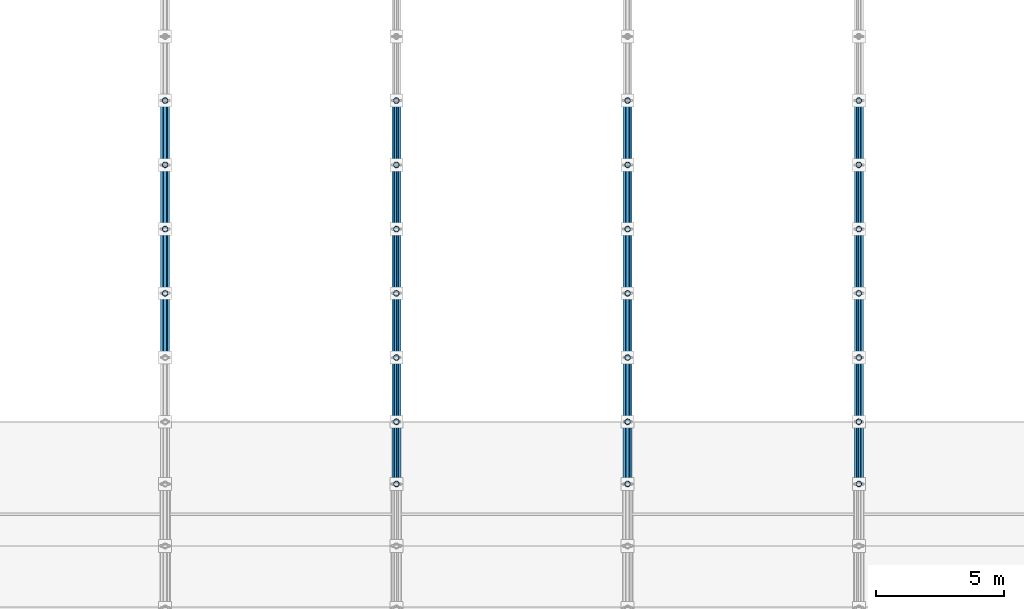
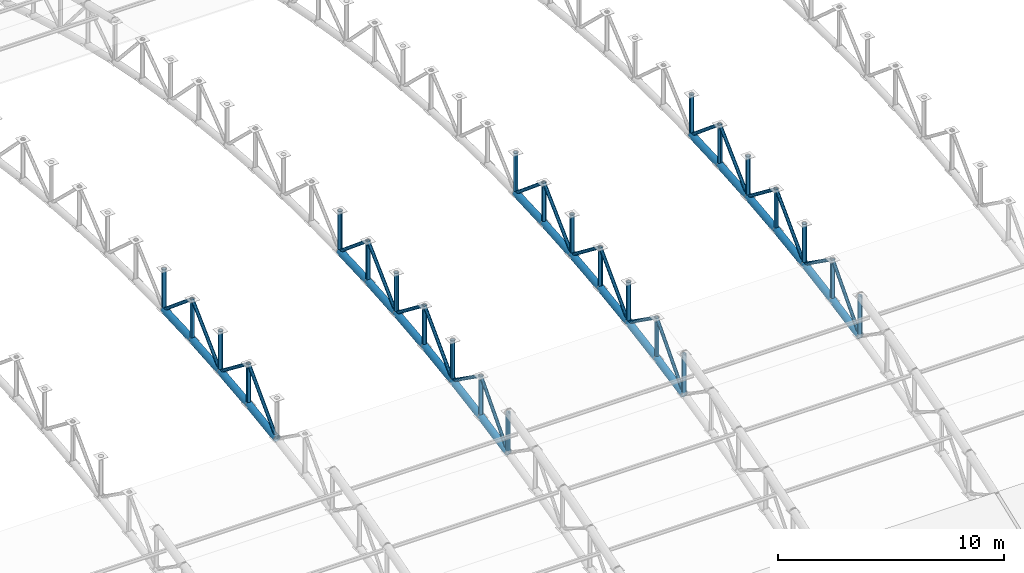
# One storey, part 20 of 195: 69 members.
"""IFC4 building model written with IfcOpenShell, lengths in metres."""

from ifc_helpers import new_model, si_unit, direction, frame, origin, origin_2d, place, context, subcontext, project, spatial, hollow_circle, extrude, material, material_profile, profile_set, type_object, element, save


model = new_model("IFC4")

# Units and contexts
model_context = context("Model", 3, precision=1e-05, world=origin(), true_north=direction((0.0, 1.0)))
body_context = subcontext(model_context, "Body", "Model", "MODEL_VIEW")
ifc_project = project(units=[si_unit("LENGTHUNIT", "METRE"), si_unit("AREAUNIT", "SQUARE_METRE"), si_unit("VOLUMEUNIT", "CUBIC_METRE"), si_unit("PLANEANGLEUNIT", "RADIAN"), si_unit("MASSUNIT", "GRAM", prefix="KILO")], contexts=[model_context])

# Site, building, storey
site_placement = place(None, origin())
site = spatial("IfcSite", under=ifc_project, at=site_placement, CompositionType="ELEMENT")
building_placement = place(site_placement, origin())
building = spatial("IfcBuilding", under=site, at=building_placement, Name="Marlcrest Central Station", CompositionType="ELEMENT")
storey_placement = place(building_placement, frame((0.0, 0.0, 9.800048828125)))
storey = spatial("IfcBuildingStorey", under=building, at=storey_placement, Name="L02", CompositionType="ELEMENT", Elevation=9.800048828125)

# Members
ifc_material = material(Name="Steel S355", Category="steel")
ifc_material_profile_1 = material_profile(ifc_material, hollow_circle(Radius=0.177734375, WallThickness=0.01611328125, at=origin_2d()), Name="CHS 355.6x16")
ifc_profile_set_1 = profile_set([ifc_material_profile_1], Name="Steel S355")
member_type_1 = type_object("IfcMemberType", Name="AC-02", PredefinedType="CHORD", material=ifc_profile_set_1)
member_1_placement = place(storey_placement, frame((36.0, 53.5, 3.83056640625), z_axis=(0.0, 0.990402740232, 0.138211476152), x_axis=(-1.0, 0.0, 0.0)))
element("IfcMember", 1, at=member_1_placement, inside=storey, type_object=member_type_1, Name="mem-AC-02-L02-00556", PredefinedType="CHORD", context=body_context, shape_type="SweptSolid", body=[
    extrude(hollow_circle(Radius=0.177734375, WallThickness=0.01611328125, at=origin_2d()), origin(), (0.0, 0.0, 1.0), 2.524169921875),
])
member_2_placement = place(storey_placement, frame((36.0, 56.0, 4.179443359375), z_axis=(0.0, 0.994155341034, 0.107959056565), x_axis=(-1.0, 0.0, 0.0)))
element("IfcMember", 2, at=member_2_placement, inside=storey, type_object=member_type_1, Name="mem-AC-02-L02-00560", PredefinedType="CHORD", context=body_context, shape_type="SweptSolid", body=[
    extrude(hollow_circle(Radius=0.177734375, WallThickness=0.01611328125, at=origin_2d()), origin(), (0.0, 0.0, 1.0), 2.5146484375),
])
member_3_placement = place(storey_placement, frame((36.0, 58.5, 4.450927734375), z_axis=(0.0, 0.997007334767, 0.077307014043), x_axis=(-1.0, 0.0, 0.0)))
element("IfcMember", 3, at=member_3_placement, inside=storey, type_object=member_type_1, Name="mem-AC-02-L02-00564", PredefinedType="CHORD", context=body_context, shape_type="SweptSolid", body=[
    extrude(hollow_circle(Radius=0.177734375, WallThickness=0.01611328125, at=origin_2d()), origin(), (0.0, 0.0, 1.0), 2.507568359375),
])
member_4_placement = place(storey_placement, frame((36.0, 61.0, 4.644775390625), z_axis=(0.0, 0.998916819647, 0.046531574509), x_axis=(-1.0, 0.0, 0.0)))
element("IfcMember", 4, at=member_4_placement, inside=storey, type_object=member_type_1, Name="mem-AC-02-L02-00568", PredefinedType="CHORD", context=body_context, shape_type="SweptSolid", body=[
    extrude(hollow_circle(Radius=0.177734375, WallThickness=0.01611328125, at=origin_2d()), origin(), (0.0, 0.0, 1.0), 2.502685546875),
])
member_5_placement = place(storey_placement, frame((45.0, 48.580078125, 2.9169921875), z_axis=(0.0, 0.980359417961, 0.197219196874), x_axis=(-1.0, 0.0, 0.0)))
element("IfcMember", 5, at=member_5_placement, inside=storey, type_object=member_type_1, Name="mem-AC-02-L02-00664", PredefinedType="CHORD", context=body_context, shape_type="SweptSolid", body=[
    extrude(hollow_circle(Radius=0.177734375, WallThickness=0.01611328125, at=origin_2d()), origin(), (0.0, 0.0, 1.0), 2.468505859375),
])
member_6_placement = place(storey_placement, frame((45.0, 51.0, 3.40380859375), z_axis=(0.0, 0.98574109921, 0.168269086076), x_axis=(-1.0, 0.0, 0.0)))
element("IfcMember", 6, at=member_6_placement, inside=storey, type_object=member_type_1, Name="mem-AC-02-L02-00668", PredefinedType="CHORD", context=body_context, shape_type="SweptSolid", body=[
    extrude(hollow_circle(Radius=0.177734375, WallThickness=0.01611328125, at=origin_2d()), origin(), (0.0, 0.0, 1.0), 2.5361328125),
])
member_7_placement = place(storey_placement, frame((45.0, 53.5, 3.83056640625), z_axis=(0.0, 0.990402740232, 0.138211476152), x_axis=(-1.0, 0.0, 0.0)))
element("IfcMember", 7, at=member_7_placement, inside=storey, type_object=member_type_1, Name="mem-AC-02-L02-00672", PredefinedType="CHORD", context=body_context, shape_type="SweptSolid", body=[
    extrude(hollow_circle(Radius=0.177734375, WallThickness=0.01611328125, at=origin_2d()), origin(), (0.0, 0.0, 1.0), 2.524169921875),
])
member_8_placement = place(storey_placement, frame((45.0, 56.0, 4.179443359375), z_axis=(0.0, 0.994155341034, 0.107959056565), x_axis=(-1.0, 0.0, 0.0)))
element("IfcMember", 8, at=member_8_placement, inside=storey, type_object=member_type_1, Name="mem-AC-02-L02-00676", PredefinedType="CHORD", context=body_context, shape_type="SweptSolid", body=[
    extrude(hollow_circle(Radius=0.177734375, WallThickness=0.01611328125, at=origin_2d()), origin(), (0.0, 0.0, 1.0), 2.5146484375),
])
member_9_placement = place(storey_placement, frame((45.0, 58.5, 4.450927734375), z_axis=(0.0, 0.997007334767, 0.077307014043), x_axis=(-1.0, 0.0, 0.0)))
element("IfcMember", 9, at=member_9_placement, inside=storey, type_object=member_type_1, Name="mem-AC-02-L02-00680", PredefinedType="CHORD", context=body_context, shape_type="SweptSolid", body=[
    extrude(hollow_circle(Radius=0.177734375, WallThickness=0.01611328125, at=origin_2d()), origin(), (0.0, 0.0, 1.0), 2.507568359375),
])
member_10_placement = place(storey_placement, frame((45.0, 61.0, 4.644775390625), z_axis=(0.0, 0.998916819647, 0.046531574509), x_axis=(-1.0, 0.0, 0.0)))
element("IfcMember", 10, at=member_10_placement, inside=storey, type_object=member_type_1, Name="mem-AC-02-L02-00684", PredefinedType="CHORD", context=body_context, shape_type="SweptSolid", body=[
    extrude(hollow_circle(Radius=0.177734375, WallThickness=0.01611328125, at=origin_2d()), origin(), (0.0, 0.0, 1.0), 2.502685546875),
])
member_11_placement = place(storey_placement, frame((54.0, 48.580078125, 2.9169921875), z_axis=(0.0, 0.980359417961, 0.197219196874), x_axis=(-1.0, 0.0, 0.0)))
element("IfcMember", 11, at=member_11_placement, inside=storey, type_object=member_type_1, Name="mem-AC-02-L02-00780", PredefinedType="CHORD", context=body_context, shape_type="SweptSolid", body=[
    extrude(hollow_circle(Radius=0.177734375, WallThickness=0.01611328125, at=origin_2d()), origin(), (0.0, 0.0, 1.0), 2.468505859375),
])
member_12_placement = place(storey_placement, frame((54.0, 51.0, 3.40380859375), z_axis=(0.0, 0.98574109921, 0.168269086076), x_axis=(-1.0, 0.0, 0.0)))
element("IfcMember", 12, at=member_12_placement, inside=storey, type_object=member_type_1, Name="mem-AC-02-L02-00784", PredefinedType="CHORD", context=body_context, shape_type="SweptSolid", body=[
    extrude(hollow_circle(Radius=0.177734375, WallThickness=0.01611328125, at=origin_2d()), origin(), (0.0, 0.0, 1.0), 2.5361328125),
])
member_13_placement = place(storey_placement, frame((54.0, 53.5, 3.83056640625), z_axis=(0.0, 0.990402740232, 0.138211476152), x_axis=(-1.0, 0.0, 0.0)))
element("IfcMember", 13, at=member_13_placement, inside=storey, type_object=member_type_1, Name="mem-AC-02-L02-00788", PredefinedType="CHORD", context=body_context, shape_type="SweptSolid", body=[
    extrude(hollow_circle(Radius=0.177734375, WallThickness=0.01611328125, at=origin_2d()), origin(), (0.0, 0.0, 1.0), 2.524169921875),
])
member_14_placement = place(storey_placement, frame((54.0, 56.0, 4.179443359375), z_axis=(0.0, 0.994155341034, 0.107959056565), x_axis=(-1.0, 0.0, 0.0)))
element("IfcMember", 14, at=member_14_placement, inside=storey, type_object=member_type_1, Name="mem-AC-02-L02-00792", PredefinedType="CHORD", context=body_context, shape_type="SweptSolid", body=[
    extrude(hollow_circle(Radius=0.177734375, WallThickness=0.01611328125, at=origin_2d()), origin(), (0.0, 0.0, 1.0), 2.5146484375),
])
member_15_placement = place(storey_placement, frame((54.0, 58.5, 4.450927734375), z_axis=(0.0, 0.997007334767, 0.077307014043), x_axis=(-1.0, 0.0, 0.0)))
element("IfcMember", 15, at=member_15_placement, inside=storey, type_object=member_type_1, Name="mem-AC-02-L02-00796", PredefinedType="CHORD", context=body_context, shape_type="SweptSolid", body=[
    extrude(hollow_circle(Radius=0.177734375, WallThickness=0.01611328125, at=origin_2d()), origin(), (0.0, 0.0, 1.0), 2.507568359375),
])
member_16_placement = place(storey_placement, frame((54.0, 61.0, 4.644775390625), z_axis=(0.0, 0.998916819647, 0.046531574509), x_axis=(-1.0, 0.0, 0.0)))
element("IfcMember", 16, at=member_16_placement, inside=storey, type_object=member_type_1, Name="mem-AC-02-L02-00800", PredefinedType="CHORD", context=body_context, shape_type="SweptSolid", body=[
    extrude(hollow_circle(Radius=0.177734375, WallThickness=0.01611328125, at=origin_2d()), origin(), (0.0, 0.0, 1.0), 2.502685546875),
])
member_17_placement = place(storey_placement, frame((63.0, 48.580078125, 2.9169921875), z_axis=(0.0, 0.980359417961, 0.197219196874), x_axis=(-1.0, 0.0, 0.0)))
element("IfcMember", 17, at=member_17_placement, inside=storey, type_object=member_type_1, Name="mem-AC-02-L02-00896", PredefinedType="CHORD", context=body_context, shape_type="SweptSolid", body=[
    extrude(hollow_circle(Radius=0.177734375, WallThickness=0.01611328125, at=origin_2d()), origin(), (0.0, 0.0, 1.0), 2.468505859375),
])
member_18_placement = place(storey_placement, frame((63.0, 51.0, 3.40380859375), z_axis=(0.0, 0.98574109921, 0.168269086076), x_axis=(-1.0, 0.0, 0.0)))
element("IfcMember", 18, at=member_18_placement, inside=storey, type_object=member_type_1, Name="mem-AC-02-L02-00900", PredefinedType="CHORD", context=body_context, shape_type="SweptSolid", body=[
    extrude(hollow_circle(Radius=0.177734375, WallThickness=0.01611328125, at=origin_2d()), origin(), (0.0, 0.0, 1.0), 2.5361328125),
])
member_19_placement = place(storey_placement, frame((63.0, 53.5, 3.83056640625), z_axis=(0.0, 0.990402740232, 0.138211476152), x_axis=(-1.0, 0.0, 0.0)))
element("IfcMember", 19, at=member_19_placement, inside=storey, type_object=member_type_1, Name="mem-AC-02-L02-00904", PredefinedType="CHORD", context=body_context, shape_type="SweptSolid", body=[
    extrude(hollow_circle(Radius=0.177734375, WallThickness=0.01611328125, at=origin_2d()), origin(), (0.0, 0.0, 1.0), 2.524169921875),
])
member_20_placement = place(storey_placement, frame((63.0, 56.0, 4.179443359375), z_axis=(0.0, 0.994155341034, 0.107959056565), x_axis=(-1.0, 0.0, 0.0)))
element("IfcMember", 20, at=member_20_placement, inside=storey, type_object=member_type_1, Name="mem-AC-02-L02-00908", PredefinedType="CHORD", context=body_context, shape_type="SweptSolid", body=[
    extrude(hollow_circle(Radius=0.177734375, WallThickness=0.01611328125, at=origin_2d()), origin(), (0.0, 0.0, 1.0), 2.5146484375),
])
member_21_placement = place(storey_placement, frame((63.0, 58.5, 4.450927734375), z_axis=(0.0, 0.997007334767, 0.077307014043), x_axis=(-1.0, 0.0, 0.0)))
element("IfcMember", 21, at=member_21_placement, inside=storey, type_object=member_type_1, Name="mem-AC-02-L02-00912", PredefinedType="CHORD", context=body_context, shape_type="SweptSolid", body=[
    extrude(hollow_circle(Radius=0.177734375, WallThickness=0.01611328125, at=origin_2d()), origin(), (0.0, 0.0, 1.0), 2.507568359375),
])
member_22_placement = place(storey_placement, frame((63.0, 61.0, 4.644775390625), z_axis=(0.0, 0.998916819647, 0.046531574509), x_axis=(-1.0, 0.0, 0.0)))
element("IfcMember", 22, at=member_22_placement, inside=storey, type_object=member_type_1, Name="mem-AC-02-L02-00916", PredefinedType="CHORD", context=body_context, shape_type="SweptSolid", body=[
    extrude(hollow_circle(Radius=0.177734375, WallThickness=0.01611328125, at=origin_2d()), origin(), (0.0, 0.0, 1.0), 2.502685546875),
])
ifc_material_profile_2 = material_profile(ifc_material, hollow_circle(Radius=0.084228515625, WallThickness=0.010009765625, at=origin_2d()), Name="CHS 168.3x10")
ifc_profile_set_2 = profile_set([ifc_material_profile_2], Name="Steel S355")
member_type_2 = type_object("IfcMemberType", Name="AD-01", PredefinedType="BRACE", material=ifc_profile_set_2)
member_23_placement = place(storey_placement, frame((36.0, 53.5, 3.83056640625), z_axis=(0.0, 0.70023547796, 0.713911952139), x_axis=(-1.0, 0.0, 0.0)))
element("IfcMember", 23, at=member_23_placement, inside=storey, type_object=member_type_2, Name="mem-AD-01-L02-00558", PredefinedType="BRACE", context=body_context, shape_type="SweptSolid", body=[
    extrude(hollow_circle(Radius=0.084228515625, WallThickness=0.010009765625, at=origin_2d()), origin(), (0.0, 0.0, 1.0), 3.5703125),
])
member_24_placement = place(storey_placement, frame((36.0, 56.0, 6.37939453125), z_axis=(0.0, 0.791798282026, -0.610782678684), x_axis=(-1.0, 0.0, 0.0)))
element("IfcMember", 24, at=member_24_placement, inside=storey, type_object=member_type_2, Name="mem-AD-01-L02-00562", PredefinedType="BRACE", context=body_context, shape_type="SweptSolid", body=[
    extrude(hollow_circle(Radius=0.084228515625, WallThickness=0.010009765625, at=origin_2d()), origin(), (0.0, 0.0, 1.0), 3.157470703125),
])
member_25_placement = place(storey_placement, frame((36.0, 58.5, 4.450927734375), z_axis=(0.0, 0.722246537655, 0.691635698071), x_axis=(-1.0, 0.0, 0.0)))
element("IfcMember", 25, at=member_25_placement, inside=storey, type_object=member_type_2, Name="mem-AD-01-L02-00566", PredefinedType="BRACE", context=body_context, shape_type="SweptSolid", body=[
    extrude(hollow_circle(Radius=0.084228515625, WallThickness=0.010009765625, at=origin_2d()), origin(), (0.0, 0.0, 1.0), 3.46142578125),
])
member_26_placement = place(storey_placement, frame((36.0, 61.0, 6.844970703125), z_axis=(0.0, 0.768159787854, -0.640258182552), x_axis=(-1.0, 0.0, 0.0)))
element("IfcMember", 26, at=member_26_placement, inside=storey, type_object=member_type_2, Name="mem-AD-01-L02-00570", PredefinedType="BRACE", context=body_context, shape_type="SweptSolid", body=[
    extrude(hollow_circle(Radius=0.084228515625, WallThickness=0.010009765625, at=origin_2d()), origin(), (0.0, 0.0, 1.0), 3.254638671875),
])
member_27_placement = place(storey_placement, frame((45.0, 48.580078125, 2.9169921875), z_axis=(0.0, 0.669244457479, 0.743042297675), x_axis=(-1.0, 0.0, 0.0)))
element("IfcMember", 27, at=member_27_placement, inside=storey, type_object=member_type_2, Name="mem-AD-01-L02-00666", PredefinedType="BRACE", context=body_context, shape_type="SweptSolid", body=[
    extrude(hollow_circle(Radius=0.084228515625, WallThickness=0.010009765625, at=origin_2d()), origin(), (0.0, 0.0, 1.0), 3.615966796875),
])
member_28_placement = place(storey_placement, frame((45.0, 51.0, 5.603759765625), z_axis=(0.0, 0.815661132754, -0.57852996164), x_axis=(-1.0, 0.0, 0.0)))
element("IfcMember", 28, at=member_28_placement, inside=storey, type_object=member_type_2, Name="mem-AD-01-L02-00670", PredefinedType="BRACE", context=body_context, shape_type="SweptSolid", body=[
    extrude(hollow_circle(Radius=0.084228515625, WallThickness=0.010009765625, at=origin_2d()), origin(), (0.0, 0.0, 1.0), 3.06494140625),
])
member_29_placement = place(storey_placement, frame((45.0, 53.5, 3.83056640625), z_axis=(0.0, 0.70023547796, 0.713911952139), x_axis=(-1.0, 0.0, 0.0)))
element("IfcMember", 29, at=member_29_placement, inside=storey, type_object=member_type_2, Name="mem-AD-01-L02-00674", PredefinedType="BRACE", context=body_context, shape_type="SweptSolid", body=[
    extrude(hollow_circle(Radius=0.084228515625, WallThickness=0.010009765625, at=origin_2d()), origin(), (0.0, 0.0, 1.0), 3.5703125),
])
member_30_placement = place(storey_placement, frame((45.0, 56.0, 6.37939453125), z_axis=(0.0, 0.791798282026, -0.610782678684), x_axis=(-1.0, 0.0, 0.0)))
element("IfcMember", 30, at=member_30_placement, inside=storey, type_object=member_type_2, Name="mem-AD-01-L02-00678", PredefinedType="BRACE", context=body_context, shape_type="SweptSolid", body=[
    extrude(hollow_circle(Radius=0.084228515625, WallThickness=0.010009765625, at=origin_2d()), origin(), (0.0, 0.0, 1.0), 3.157470703125),
])
member_31_placement = place(storey_placement, frame((45.0, 58.5, 4.450927734375), z_axis=(0.0, 0.722246537655, 0.691635698071), x_axis=(-1.0, 0.0, 0.0)))
element("IfcMember", 31, at=member_31_placement, inside=storey, type_object=member_type_2, Name="mem-AD-01-L02-00682", PredefinedType="BRACE", context=body_context, shape_type="SweptSolid", body=[
    extrude(hollow_circle(Radius=0.084228515625, WallThickness=0.010009765625, at=origin_2d()), origin(), (0.0, 0.0, 1.0), 3.46142578125),
])
member_32_placement = place(storey_placement, frame((45.0, 61.0, 6.844970703125), z_axis=(0.0, 0.768159787854, -0.640258182552), x_axis=(-1.0, 0.0, 0.0)))
element("IfcMember", 32, at=member_32_placement, inside=storey, type_object=member_type_2, Name="mem-AD-01-L02-00686", PredefinedType="BRACE", context=body_context, shape_type="SweptSolid", body=[
    extrude(hollow_circle(Radius=0.084228515625, WallThickness=0.010009765625, at=origin_2d()), origin(), (0.0, 0.0, 1.0), 3.254638671875),
])
member_33_placement = place(storey_placement, frame((54.0, 48.580078125, 2.9169921875), z_axis=(0.0, 0.669244457479, 0.743042297675), x_axis=(-1.0, 0.0, 0.0)))
element("IfcMember", 33, at=member_33_placement, inside=storey, type_object=member_type_2, Name="mem-AD-01-L02-00782", PredefinedType="BRACE", context=body_context, shape_type="SweptSolid", body=[
    extrude(hollow_circle(Radius=0.084228515625, WallThickness=0.010009765625, at=origin_2d()), origin(), (0.0, 0.0, 1.0), 3.615966796875),
])
member_34_placement = place(storey_placement, frame((54.0, 51.0, 5.603759765625), z_axis=(0.0, 0.815661132754, -0.57852996164), x_axis=(-1.0, 0.0, 0.0)))
element("IfcMember", 34, at=member_34_placement, inside=storey, type_object=member_type_2, Name="mem-AD-01-L02-00786", PredefinedType="BRACE", context=body_context, shape_type="SweptSolid", body=[
    extrude(hollow_circle(Radius=0.084228515625, WallThickness=0.010009765625, at=origin_2d()), origin(), (0.0, 0.0, 1.0), 3.06494140625),
])
member_35_placement = place(storey_placement, frame((54.0, 53.5, 3.83056640625), z_axis=(0.0, 0.70023547796, 0.713911952139), x_axis=(-1.0, 0.0, 0.0)))
element("IfcMember", 35, at=member_35_placement, inside=storey, type_object=member_type_2, Name="mem-AD-01-L02-00790", PredefinedType="BRACE", context=body_context, shape_type="SweptSolid", body=[
    extrude(hollow_circle(Radius=0.084228515625, WallThickness=0.010009765625, at=origin_2d()), origin(), (0.0, 0.0, 1.0), 3.5703125),
])
member_36_placement = place(storey_placement, frame((54.0, 56.0, 6.37939453125), z_axis=(0.0, 0.791798282026, -0.610782678684), x_axis=(-1.0, 0.0, 0.0)))
element("IfcMember", 36, at=member_36_placement, inside=storey, type_object=member_type_2, Name="mem-AD-01-L02-00794", PredefinedType="BRACE", context=body_context, shape_type="SweptSolid", body=[
    extrude(hollow_circle(Radius=0.084228515625, WallThickness=0.010009765625, at=origin_2d()), origin(), (0.0, 0.0, 1.0), 3.157470703125),
])
member_37_placement = place(storey_placement, frame((54.0, 58.5, 4.450927734375), z_axis=(0.0, 0.722246537655, 0.691635698071), x_axis=(-1.0, 0.0, 0.0)))
element("IfcMember", 37, at=member_37_placement, inside=storey, type_object=member_type_2, Name="mem-AD-01-L02-00798", PredefinedType="BRACE", context=body_context, shape_type="SweptSolid", body=[
    extrude(hollow_circle(Radius=0.084228515625, WallThickness=0.010009765625, at=origin_2d()), origin(), (0.0, 0.0, 1.0), 3.46142578125),
])
member_38_placement = place(storey_placement, frame((54.0, 61.0, 6.844970703125), z_axis=(0.0, 0.768159787854, -0.640258182552), x_axis=(-1.0, 0.0, 0.0)))
element("IfcMember", 38, at=member_38_placement, inside=storey, type_object=member_type_2, Name="mem-AD-01-L02-00802", PredefinedType="BRACE", context=body_context, shape_type="SweptSolid", body=[
    extrude(hollow_circle(Radius=0.084228515625, WallThickness=0.010009765625, at=origin_2d()), origin(), (0.0, 0.0, 1.0), 3.254638671875),
])
member_39_placement = place(storey_placement, frame((63.0, 48.580078125, 2.9169921875), z_axis=(0.0, 0.669244457479, 0.743042297675), x_axis=(-1.0, 0.0, 0.0)))
element("IfcMember", 39, at=member_39_placement, inside=storey, type_object=member_type_2, Name="mem-AD-01-L02-00898", PredefinedType="BRACE", context=body_context, shape_type="SweptSolid", body=[
    extrude(hollow_circle(Radius=0.084228515625, WallThickness=0.010009765625, at=origin_2d()), origin(), (0.0, 0.0, 1.0), 3.615966796875),
])
member_40_placement = place(storey_placement, frame((63.0, 51.0, 5.603759765625), z_axis=(0.0, 0.815661132754, -0.57852996164), x_axis=(-1.0, 0.0, 0.0)))
element("IfcMember", 40, at=member_40_placement, inside=storey, type_object=member_type_2, Name="mem-AD-01-L02-00902", PredefinedType="BRACE", context=body_context, shape_type="SweptSolid", body=[
    extrude(hollow_circle(Radius=0.084228515625, WallThickness=0.010009765625, at=origin_2d()), origin(), (0.0, 0.0, 1.0), 3.06494140625),
])
member_41_placement = place(storey_placement, frame((63.0, 53.5, 3.83056640625), z_axis=(0.0, 0.70023547796, 0.713911952139), x_axis=(-1.0, 0.0, 0.0)))
element("IfcMember", 41, at=member_41_placement, inside=storey, type_object=member_type_2, Name="mem-AD-01-L02-00906", PredefinedType="BRACE", context=body_context, shape_type="SweptSolid", body=[
    extrude(hollow_circle(Radius=0.084228515625, WallThickness=0.010009765625, at=origin_2d()), origin(), (0.0, 0.0, 1.0), 3.5703125),
])
member_42_placement = place(storey_placement, frame((63.0, 56.0, 6.37939453125), z_axis=(0.0, 0.791798282026, -0.610782678684), x_axis=(-1.0, 0.0, 0.0)))
element("IfcMember", 42, at=member_42_placement, inside=storey, type_object=member_type_2, Name="mem-AD-01-L02-00910", PredefinedType="BRACE", context=body_context, shape_type="SweptSolid", body=[
    extrude(hollow_circle(Radius=0.084228515625, WallThickness=0.010009765625, at=origin_2d()), origin(), (0.0, 0.0, 1.0), 3.157470703125),
])
member_43_placement = place(storey_placement, frame((63.0, 58.5, 4.450927734375), z_axis=(0.0, 0.722246537655, 0.691635698071), x_axis=(-1.0, 0.0, 0.0)))
element("IfcMember", 43, at=member_43_placement, inside=storey, type_object=member_type_2, Name="mem-AD-01-L02-00914", PredefinedType="BRACE", context=body_context, shape_type="SweptSolid", body=[
    extrude(hollow_circle(Radius=0.084228515625, WallThickness=0.010009765625, at=origin_2d()), origin(), (0.0, 0.0, 1.0), 3.46142578125),
])
member_44_placement = place(storey_placement, frame((63.0, 61.0, 6.844970703125), z_axis=(0.0, 0.768159787854, -0.640258182552), x_axis=(-1.0, 0.0, 0.0)))
element("IfcMember", 44, at=member_44_placement, inside=storey, type_object=member_type_2, Name="mem-AD-01-L02-00918", PredefinedType="BRACE", context=body_context, shape_type="SweptSolid", body=[
    extrude(hollow_circle(Radius=0.084228515625, WallThickness=0.010009765625, at=origin_2d()), origin(), (0.0, 0.0, 1.0), 3.254638671875),
])
ifc_material_profile_3 = material_profile(ifc_material, hollow_circle(Radius=0.109619140625, WallThickness=0.012451171875, at=origin_2d()), Name="CHS 219.1x12.5")
ifc_profile_set_3 = profile_set([ifc_material_profile_3], Name="Steel S355")
member_type_3 = type_object("IfcMemberType", Name="AP-01", PredefinedType="POST", material=ifc_profile_set_3)
for number, where, z_axis, x_axis, name in (
    (45, (36.0, 56.0, 4.179443359375), (0.0, 0.0, 1.0), (1.0, 0.0, 0.0), "mem-AP-01-L02-00561"),
    (46, (36.0, 58.5, 4.450927734375), (0.0, 0.0, 1.0), (1.0, 0.0, 0.0), "mem-AP-01-L02-00565"),
):
    element("IfcMember", number, at=place(storey_placement, frame(where, z_axis=z_axis, x_axis=x_axis)), inside=storey, type_object=member_type_3, Name=name, PredefinedType="POST", context=body_context, shape_type="SweptSolid", body=[
        extrude(hollow_circle(Radius=0.109619140625, WallThickness=0.012451171875, at=origin_2d()), origin(), (0.0, 0.0, 1.0), 2.199951171875),
    ])
member_45_placement = place(storey_placement, frame((36.0, 61.0, 4.644775390625), z_axis=(0.0, 0.0, 1.0), x_axis=(1.0, 0.0, 0.0)))
element("IfcMember", 47, at=member_45_placement, inside=storey, type_object=member_type_3, Name="mem-AP-01-L02-00569", PredefinedType="POST", context=body_context, shape_type="SweptSolid", body=[
    extrude(hollow_circle(Radius=0.109619140625, WallThickness=0.012451171875, at=origin_2d()), origin(), (0.0, 0.0, 1.0), 2.2001953125),
])
for number, where, z_axis, x_axis, name in (
    (48, (36.0, 63.5, 4.76123046875), (0.0, 0.0, 1.0), (1.0, 0.0, 0.0), "mem-AP-01-L02-00573"),
    (49, (45.0, 48.580078125, 2.9169921875), (0.0, 0.0, 1.0), (1.0, 0.0, 0.0), "mem-AP-01-L02-00665"),
    (50, (45.0, 51.0, 3.40380859375), (0.0, 0.0, 1.0), (1.0, 0.0, 0.0), "mem-AP-01-L02-00669"),
    (51, (45.0, 53.5, 3.83056640625), (0.0, 0.0, 1.0), (1.0, 0.0, 0.0), "mem-AP-01-L02-00673"),
    (52, (45.0, 56.0, 4.179443359375), (0.0, 0.0, 1.0), (1.0, 0.0, 0.0), "mem-AP-01-L02-00677"),
    (53, (45.0, 58.5, 4.450927734375), (0.0, 0.0, 1.0), (1.0, 0.0, 0.0), "mem-AP-01-L02-00681"),
):
    element("IfcMember", number, at=place(storey_placement, frame(where, z_axis=z_axis, x_axis=x_axis)), inside=storey, type_object=member_type_3, Name=name, PredefinedType="POST", context=body_context, shape_type="SweptSolid", body=[
        extrude(hollow_circle(Radius=0.109619140625, WallThickness=0.012451171875, at=origin_2d()), origin(), (0.0, 0.0, 1.0), 2.199951171875),
    ])
member_46_placement = place(storey_placement, frame((45.0, 61.0, 4.644775390625), z_axis=(0.0, 0.0, 1.0), x_axis=(1.0, 0.0, 0.0)))
element("IfcMember", 54, at=member_46_placement, inside=storey, type_object=member_type_3, Name="mem-AP-01-L02-00685", PredefinedType="POST", context=body_context, shape_type="SweptSolid", body=[
    extrude(hollow_circle(Radius=0.109619140625, WallThickness=0.012451171875, at=origin_2d()), origin(), (0.0, 0.0, 1.0), 2.2001953125),
])
for number, where, z_axis, x_axis, name in (
    (55, (45.0, 63.5, 4.76123046875), (0.0, 0.0, 1.0), (1.0, 0.0, 0.0), "mem-AP-01-L02-00689"),
    (56, (54.0, 48.580078125, 2.9169921875), (0.0, 0.0, 1.0), (1.0, 0.0, 0.0), "mem-AP-01-L02-00781"),
    (57, (54.0, 51.0, 3.40380859375), (0.0, 0.0, 1.0), (1.0, 0.0, 0.0), "mem-AP-01-L02-00785"),
    (58, (54.0, 53.5, 3.83056640625), (0.0, 0.0, 1.0), (1.0, 0.0, 0.0), "mem-AP-01-L02-00789"),
    (59, (54.0, 56.0, 4.179443359375), (0.0, 0.0, 1.0), (1.0, 0.0, 0.0), "mem-AP-01-L02-00793"),
    (60, (54.0, 58.5, 4.450927734375), (0.0, 0.0, 1.0), (1.0, 0.0, 0.0), "mem-AP-01-L02-00797"),
):
    element("IfcMember", number, at=place(storey_placement, frame(where, z_axis=z_axis, x_axis=x_axis)), inside=storey, type_object=member_type_3, Name=name, PredefinedType="POST", context=body_context, shape_type="SweptSolid", body=[
        extrude(hollow_circle(Radius=0.109619140625, WallThickness=0.012451171875, at=origin_2d()), origin(), (0.0, 0.0, 1.0), 2.199951171875),
    ])
member_47_placement = place(storey_placement, frame((54.0, 61.0, 4.644775390625), z_axis=(0.0, 0.0, 1.0), x_axis=(1.0, 0.0, 0.0)))
element("IfcMember", 61, at=member_47_placement, inside=storey, type_object=member_type_3, Name="mem-AP-01-L02-00801", PredefinedType="POST", context=body_context, shape_type="SweptSolid", body=[
    extrude(hollow_circle(Radius=0.109619140625, WallThickness=0.012451171875, at=origin_2d()), origin(), (0.0, 0.0, 1.0), 2.2001953125),
])
for number, where, z_axis, x_axis, name in (
    (62, (54.0, 63.5, 4.76123046875), (0.0, 0.0, 1.0), (1.0, 0.0, 0.0), "mem-AP-01-L02-00805"),
    (63, (63.0, 48.580078125, 2.9169921875), (0.0, 0.0, 1.0), (1.0, 0.0, 0.0), "mem-AP-01-L02-00897"),
    (64, (63.0, 51.0, 3.40380859375), (0.0, 0.0, 1.0), (1.0, 0.0, 0.0), "mem-AP-01-L02-00901"),
    (65, (63.0, 53.5, 3.83056640625), (0.0, 0.0, 1.0), (1.0, 0.0, 0.0), "mem-AP-01-L02-00905"),
    (66, (63.0, 56.0, 4.179443359375), (0.0, 0.0, 1.0), (1.0, 0.0, 0.0), "mem-AP-01-L02-00909"),
    (67, (63.0, 58.5, 4.450927734375), (0.0, 0.0, 1.0), (1.0, 0.0, 0.0), "mem-AP-01-L02-00913"),
):
    element("IfcMember", number, at=place(storey_placement, frame(where, z_axis=z_axis, x_axis=x_axis)), inside=storey, type_object=member_type_3, Name=name, PredefinedType="POST", context=body_context, shape_type="SweptSolid", body=[
        extrude(hollow_circle(Radius=0.109619140625, WallThickness=0.012451171875, at=origin_2d()), origin(), (0.0, 0.0, 1.0), 2.199951171875),
    ])
member_48_placement = place(storey_placement, frame((63.0, 61.0, 4.644775390625), z_axis=(0.0, 0.0, 1.0), x_axis=(1.0, 0.0, 0.0)))
element("IfcMember", 68, at=member_48_placement, inside=storey, type_object=member_type_3, Name="mem-AP-01-L02-00917", PredefinedType="POST", context=body_context, shape_type="SweptSolid", body=[
    extrude(hollow_circle(Radius=0.109619140625, WallThickness=0.012451171875, at=origin_2d()), origin(), (0.0, 0.0, 1.0), 2.2001953125),
])
member_49_placement = place(storey_placement, frame((63.0, 63.5, 4.76123046875), z_axis=(0.0, 0.0, 1.0), x_axis=(1.0, 0.0, 0.0)))
element("IfcMember", 69, at=member_49_placement, inside=storey, type_object=member_type_3, Name="mem-AP-01-L02-00921", PredefinedType="POST", context=body_context, shape_type="SweptSolid", body=[
    extrude(hollow_circle(Radius=0.109619140625, WallThickness=0.012451171875, at=origin_2d()), origin(), (0.0, 0.0, 1.0), 2.199951171875),
])

save(model, "model.ifc")
